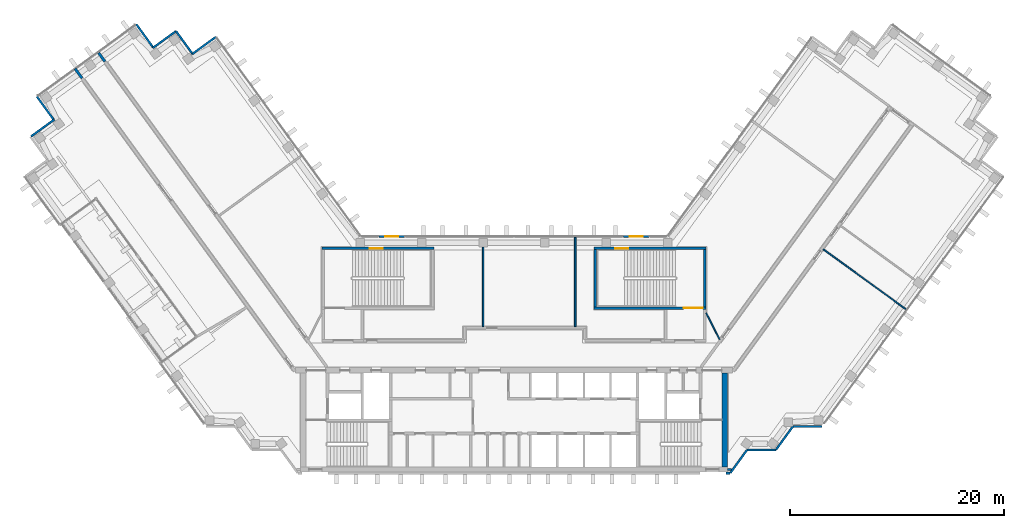
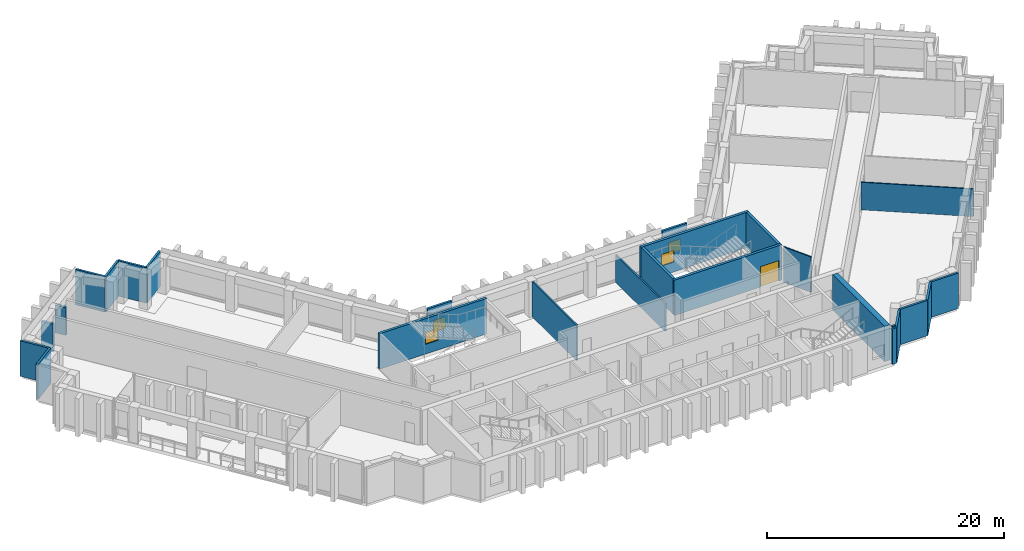
# One storey, part 9 of 13: 26 walls, 4 windows, 1 door, 5 openings.
"""IFC4 building model written with IfcOpenShell, lengths in metres."""

from ifc_helpers import new_model, si_unit, direction, frame, frame_2d, origin, place, context, subcontext, project, spatial, rectangle, extrude, material, layer, layer_set, type_object, element, fill, save


model = new_model("IFC4")

# Units and contexts
model_context = context("Model", 3, precision=1e-05, world=origin(), true_north=direction((0.0, 1.0)))
body_context = subcontext(model_context, "Body", "Model", "MODEL_VIEW")
ifc_project = project(units=[si_unit("LENGTHUNIT", "METRE"), si_unit("AREAUNIT", "SQUARE_METRE"), si_unit("VOLUMEUNIT", "CUBIC_METRE"), si_unit("PLANEANGLEUNIT", "RADIAN"), si_unit("MASSUNIT", "GRAM", prefix="KILO")], contexts=[model_context])

# Site, building, storey
site_placement = place(None, origin())
site = spatial("IfcSite", under=ifc_project, at=site_placement, CompositionType="ELEMENT")
building_placement = place(site_placement, origin())
building = spatial("IfcBuilding", under=site, at=building_placement, Name="Quipu Civic Tower", CompositionType="ELEMENT")
storey_placement = place(building_placement, frame((0.0, 0.0, 156.0)))
storey = spatial("IfcBuildingStorey", under=building, at=storey_placement, Name="L36", CompositionType="ELEMENT", Elevation=156.0)

# Walls
ifc_material_1 = material(Name="Double gypsum plasterboard with mineral wool")
ifc_layer_1 = layer(ifc_material_1, 0.14990234375)
ifc_layer_set_1 = layer_set([ifc_layer_1], Name="Double gypsum plasterboard with mineral wool")
wall_type_1 = type_object("IfcWallType", Name="Acoustic partition 150 plasterboard", PredefinedType="PARTITIONING", material=ifc_layer_set_1)
wall_1_placement = place(storey_placement, frame((-2.89892578125, 2.64990234375, 0.0), z_axis=(0.0, 0.0, 1.0), x_axis=(0.0, 1.0, 0.0)))
element("IfcWall", 1, at=wall_1_placement, inside=storey, type_object=wall_type_1, Name="Partition P05", PredefinedType="PARTITIONING", context=body_context, shape_type="SweptSolid", body=[
    extrude(rectangle(XDim=7.445068359375, YDim=0.14990234375, at=frame_2d((3.72265625, 0.0))), origin(), (0.0, 0.0, 1.0), 3.64990234375),
])
wall_2_placement = place(storey_placement, frame((5.738037109375, 2.64990234375, 0.0), z_axis=(0.0, 0.0, 1.0), x_axis=(0.0, 1.0, 0.0)))
element("IfcWall", 2, at=wall_2_placement, inside=storey, type_object=wall_type_1, Name="Partition P07", PredefinedType="PARTITIONING", context=body_context, shape_type="SweptSolid", body=[
    extrude(rectangle(XDim=8.35009765625, YDim=0.14990234375, at=frame_2d((4.175048828125, 0.0))), origin(), (0.0, 0.0, 1.0), 2.85009765625),
])

# Wall, opening, window
ifc_material_2 = material(Name="Concrete C70/85", Category="concrete")
ifc_layer_2 = layer(ifc_material_2, 0.25)
ifc_layer_set_2 = layer_set([ifc_layer_2], Name="Concrete C70/85")
wall_type_2 = type_object("IfcWallType", Name="Core wall 250", PredefinedType="SHEAR", material=ifc_layer_set_2)
wall_3_placement = place(storey_placement, frame((-18.0, 9.97509765625, 0.0), z_axis=(0.0, 0.0, 1.0), x_axis=(1.0, 0.0, 0.0)))
wall_3 = element("IfcWall", 3, at=wall_3_placement, inside=storey, type_object=wall_type_2, Name="Core wall", PredefinedType="SHEAR", context=body_context, shape_type="SweptSolid", body=[
    extrude(rectangle(XDim=10.5, YDim=0.25, at=frame_2d((5.25, 0.0))), origin(), (0.0, 0.0, 1.0), 3.64990234375),
])
opening_1_placement = place(wall_3_placement, frame((4.5, 0.0, 1.0)))
opening_1 = element("IfcOpeningElement", 4, at=opening_1_placement, cuts=wall_3, Name="Opening SV-3", PredefinedType="OPENING", context=body_context, shape_type="SweptSolid", body=[
    extrude(rectangle(XDim=1.199951171875, YDim=1.199951171875, at=frame_2d((0.60009765625, 0.60009765625))), frame((0.0, 0.135009765625, 0.0), z_axis=(0.0, -1.0, 0.0), x_axis=(1.0, 0.0, 0.0)), (0.0, 0.0, 1.0), 0.27001953125),
])
ifc_material_3 = material(Name="Aluminium louvre", Category="aluminium")
window_type_1 = type_object("IfcWindowType", Name="Stair ventilation louvre 1200 x 1200", PartitioningType="SINGLE_PANEL", PredefinedType="WINDOW", material=ifc_material_3)
window_1_placement = place(opening_1_placement, origin())
window_1 = element("IfcWindow", 5, at=window_1_placement, inside=storey, type_object=window_type_1, Name="Stair ventilation opening", OverallHeight=1.199951171875, OverallWidth=1.199951171875, PartitioningType="SINGLE_PANEL", PredefinedType="WINDOW", context=body_context, shape_type="SweptSolid", body=[
    extrude(rectangle(XDim=1.199951171875, YDim=1.199951171875, at=frame_2d((0.60009765625, 0.60009765625))), frame((0.0, 0.030029296875, 0.0), z_axis=(0.0, -1.0, 0.0), x_axis=(1.0, 0.0, 0.0)), (0.0, 0.0, 1.0), 0.06005859375),
])
fill(opening_1, window_1)

# Wall, opening, door
wall_4_placement = place(storey_placement, frame((7.5, 4.375, 0.0), z_axis=(0.0, 0.0, 1.0), x_axis=(1.0, 0.0, 0.0)))
wall_4 = element("IfcWall", 6, at=wall_4_placement, inside=storey, type_object=wall_type_2, Name="Core wall", PredefinedType="SHEAR", context=body_context, shape_type="SweptSolid", body=[
    extrude(rectangle(XDim=10.5, YDim=0.25, at=frame_2d((5.25, 0.0))), origin(), (0.0, 0.0, 1.0), 3.64990234375),
])
opening_2_placement = place(wall_4_placement, frame((8.39990234375, 0.0, 0.0)))
opening_2 = element("IfcOpeningElement", 7, at=opening_2_placement, cuts=wall_4, Name="Opening CD-25", PredefinedType="OPENING", context=body_context, shape_type="SweptSolid", body=[
    extrude(rectangle(XDim=1.800048828125, YDim=2.10009765625, at=frame_2d((0.89990234375, 1.050048828125))), frame((0.0, 0.135009765625, 0.0), z_axis=(0.0, -1.0, 0.0), x_axis=(1.0, 0.0, 0.0)), (0.0, 0.0, 1.0), 0.27001953125),
])
ifc_material_4 = material(Name="Fire rated steel door", Category="steel")
door_type = type_object("IfcDoorType", Name="Fire door FD90 double 1800 x 2100", OperationType="NOTDEFINED", PredefinedType="DOOR", material=ifc_material_4)
door_placement = place(opening_2_placement, origin())
door = element("IfcDoor", 8, at=door_placement, inside=storey, type_object=door_type, Name="Door", OperationType="DOUBLE_DOOR_SINGLE_SWING", OverallHeight=2.10009765625, OverallWidth=1.800048828125, PredefinedType="DOOR", context=body_context, shape_type="SweptSolid", body=[
    extrude(rectangle(XDim=1.800048828125, YDim=2.10009765625, at=frame_2d((0.89990234375, 1.050048828125))), frame((0.0, 0.02490234375, 0.0), z_axis=(0.0, -1.0, 0.0), x_axis=(1.0, 0.0, 0.0)), (0.0, 0.0, 1.0), 0.050048828125),
])
fill(opening_2, door)

# Walls
for number, where, z_axis, x_axis, name in (
    (9, (7.625, 4.5, 0.0), (0.0, 0.0, 1.0), (0.0, 1.0, 0.0), "Core wall"),
    (10, (17.875, 4.5, 0.0), (0.0, 0.0, 1.0), (0.0, 1.0, 0.0), "Core wall"),
):
    element("IfcWall", number, at=place(storey_placement, frame(where, z_axis=z_axis, x_axis=x_axis)), inside=storey, type_object=wall_type_2, Name=name, PredefinedType="SHEAR", context=body_context, shape_type="SweptSolid", body=[
        extrude(rectangle(XDim=5.35009765625, YDim=0.25, at=frame_2d((2.675048828125, 0.0))), origin(), (0.0, 0.0, 1.0), 3.64990234375),
    ])

# Wall, opening, window
wall_5_placement = place(storey_placement, frame((7.5, 9.97509765625, 0.0), z_axis=(0.0, 0.0, 1.0), x_axis=(1.0, 0.0, 0.0)))
wall_5 = element("IfcWall", 11, at=wall_5_placement, inside=storey, type_object=wall_type_2, Name="Core wall", PredefinedType="SHEAR", context=body_context, shape_type="SweptSolid", body=[
    extrude(rectangle(XDim=10.5, YDim=0.25, at=frame_2d((5.25, 0.0))), origin(), (0.0, 0.0, 1.0), 3.64990234375),
])
opening_3_placement = place(wall_5_placement, frame((2.0, 0.0, 1.0)))
opening_3 = element("IfcOpeningElement", 12, at=opening_3_placement, cuts=wall_5, Name="Opening SV-4", PredefinedType="OPENING", context=body_context, shape_type="SweptSolid", body=[
    extrude(rectangle(XDim=1.199951171875, YDim=1.199951171875, at=frame_2d((0.60009765625, 0.60009765625))), frame((0.0, 0.135009765625, 0.0), z_axis=(0.0, -1.0, 0.0), x_axis=(1.0, 0.0, 0.0)), (0.0, 0.0, 1.0), 0.27001953125),
])
window_2_placement = place(opening_3_placement, origin())
window_2 = element("IfcWindow", 13, at=window_2_placement, inside=storey, type_object=window_type_1, Name="Stair ventilation opening", OverallHeight=1.199951171875, OverallWidth=1.199951171875, PartitioningType="SINGLE_PANEL", PredefinedType="WINDOW", context=body_context, shape_type="SweptSolid", body=[
    extrude(rectangle(XDim=1.199951171875, YDim=1.199951171875, at=frame_2d((0.60009765625, 0.60009765625))), frame((0.0, 0.030029296875, 0.0), z_axis=(0.0, -1.0, 0.0), x_axis=(1.0, 0.0, 0.0)), (0.0, 0.0, 1.0), 0.06005859375),
])
fill(opening_3, window_2)

# Walls
ifc_material_5 = material(Name="Concrete C70/85", Category="concrete")
ifc_layer_3 = layer(ifc_material_5, 0.5)
ifc_layer_set_3 = layer_set([ifc_layer_3], Name="Concrete C70/85")
wall_type_3 = type_object("IfcWallType", Name="Core wall 500", PredefinedType="SHEAR", material=ifc_layer_set_3)
wall_6_placement = place(storey_placement, frame((19.75, -10.5, 0.0), z_axis=(0.0, 0.0, 1.0), x_axis=(0.0, 1.0, 0.0)))
element("IfcWall", 14, at=wall_6_placement, inside=storey, type_object=wall_type_3, Name="Core wall", PredefinedType="SHEAR", context=body_context, shape_type="SweptSolid", body=[
    extrude(rectangle(XDim=8.800048828125, YDim=0.5, at=frame_2d((4.39990234375, 0.0))), origin(), (0.0, 0.0, 1.0), 3.64990234375),
])
ifc_material_6 = material(Name="Concrete C50/60", Category="concrete")
ifc_layer_4 = layer(ifc_material_6, 0.25)
ifc_layer_set_4 = layer_set([ifc_layer_4], Name="Concrete C50/60")
wall_type_4 = type_object("IfcWallType", Name="Corridor wall 250 concrete", PredefinedType="SOLIDWALL", material=ifc_layer_set_4)
wall_7_placement = place(storey_placement, frame((-40.46337890625, 25.911376953125, 0.0), z_axis=(0.0, 0.0, 1.0), x_axis=(-0.587792454268, 0.809011761785, 0.0)))
element("IfcWall", 15, at=wall_7_placement, inside=storey, type_object=wall_type_4, Name="Corridor wall C05", PredefinedType="SOLIDWALL", context=body_context, shape_type="SweptSolid", body=[
    extrude(rectangle(XDim=1.1103515625, YDim=0.25, at=frame_2d((0.55517578125, 0.0))), origin(), (0.0, 0.0, 1.0), 2.85009765625),
])
wall_8_placement = place(storey_placement, frame((-38.31982421875, 27.46923828125, 0.0), z_axis=(0.0, 0.0, 1.0), x_axis=(-0.587811913486, 0.808997623213, 0.0)))
element("IfcWall", 16, at=wall_8_placement, inside=storey, type_object=wall_type_4, Name="Corridor wall C06", PredefinedType="SOLIDWALL", context=body_context, shape_type="SweptSolid", body=[
    extrude(rectangle(XDim=1.0087890625, YDim=0.25, at=frame_2d((0.50439453125, 0.0))), origin(), (0.0, 0.0, 1.0), 2.85009765625),
])
ifc_material_7 = material(Name="Gypsum plasterboard on light gauge framing")
ifc_layer_5 = layer(ifc_material_7, 0.1201171875)
ifc_layer_set_5 = layer_set([ifc_layer_5], Name="Gypsum plasterboard on light gauge framing")
wall_type_5 = type_object("IfcWallType", Name="Partition 120 plasterboard", PredefinedType="PARTITIONING", material=ifc_layer_set_5)
wall_9_placement = place(storey_placement, frame((36.7021484375, 4.274169921875, 0.0), z_axis=(0.0, 0.0, 1.0), x_axis=(-0.808998008689, 0.58781138296, 0.0)))
element("IfcWall", 17, at=wall_9_placement, inside=storey, type_object=wall_type_5, Name="Partition P02", PredefinedType="PARTITIONING", context=body_context, shape_type="SweptSolid", body=[
    extrude(rectangle(XDim=9.5498046875, YDim=0.1201171875, at=frame_2d((4.77490234375, 0.0))), origin(), (0.0, 0.0, 1.0), 2.85009765625),
])
wall_10_placement = place(storey_placement, frame((18.0, 3.925048828125, 0.0), z_axis=(0.0, 0.0, 1.0), x_axis=(0.453950796792, -0.891026752736, 0.0)))
element("IfcWall", 18, at=wall_10_placement, inside=storey, type_object=wall_type_5, Name="Partition P10", PredefinedType="PARTITIONING", context=body_context, shape_type="SweptSolid", body=[
    extrude(rectangle(XDim=2.77783203125, YDim=0.1201171875, at=frame_2d((1.388916015625, 0.0))), origin(), (0.0, 0.0, 1.0), 3.64990234375),
])
ifc_material_8 = material(Name="Precast concrete C40/50", Category="concrete")
wall_type_6 = type_object("IfcWallType", Name="Precast cladding wall", PredefinedType="SOLIDWALL", material=ifc_material_8)
for number, where, z_axis, x_axis, name in (
    (19, (-43.060791015625, 22.04296875, 0.0), (0.0, 0.0, 1.0), (-0.809033161865, -0.587762999008, 0.0), "Precast cladding wall L36 P01"),
    (20, (-27.92138671875, 29.787109375, 0.0), (0.0, 0.0, 1.0), (-0.809033161865, -0.587762999008, 0.0), "Precast cladding wall L36 11"),
    (21, (-30.08349609375, 28.149169921875, 0.0), (0.0, 0.0, 1.0), (-0.587762999008, 0.809033161865, 0.0), "Precast cladding wall L36 12"),
    (22, (-31.653564453125, 30.330810546875, 0.0), (0.0, 0.0, 1.0), (-0.809033161865, -0.587762999008, 0.0), "Precast cladding wall L36 13"),
    (23, (-33.80078125, 28.785888671875, 0.0), (0.0, 0.0, 1.0), (-0.587762999008, 0.809033161865, 0.0), "Precast cladding wall L36 14"),
    (24, (-44.699462890625, 24.20458984375, 0.0), (0.0, 0.0, 1.0), (0.587762999008, -0.809033161865, 0.0), "Precast cladding wall L36 16"),
):
    element("IfcWall", number, at=place(storey_placement, frame(where, z_axis=z_axis, x_axis=x_axis)), inside=storey, type_object=wall_type_6, Name=name, PredefinedType="SOLIDWALL", context=body_context, shape_type="SweptSolid", body=[
        extrude(rectangle(XDim=2.699951171875, YDim=0.199951171875, at=frame_2d((1.35009765625, 0.0))), origin(), (0.0, 0.0, 1.0), 3.64990234375),
    ])
wall_11_placement = place(storey_placement, frame((19.85009765625, -11.087890625, 0.0), z_axis=(0.0, 0.0, 1.0), x_axis=(1.0, 0.0, 0.0)))
element("IfcWall", 25, at=wall_11_placement, inside=storey, type_object=wall_type_6, Name="Precast cladding wall L36 21", PredefinedType="SOLIDWALL", context=body_context, shape_type="SweptSolid", body=[
    extrude(rectangle(XDim=0.40576171875, YDim=0.199951171875, at=frame_2d((0.202880859375, 0.0))), origin(), (0.0, 0.0, 1.0), 3.64990234375),
])
wall_12_placement = place(storey_placement, frame((20.253173828125, -11.083251953125, 0.0), z_axis=(0.0, 0.0, 1.0), x_axis=(0.587766567315, 0.809030569476, 0.0)))
element("IfcWall", 26, at=wall_12_placement, inside=storey, type_object=wall_type_6, Name="Precast cladding wall L36 22", PredefinedType="SOLIDWALL", context=body_context, shape_type="SweptSolid", body=[
    extrude(rectangle(XDim=2.687744140625, YDim=0.199951171875, at=frame_2d((1.34375, 0.0))), origin(), (0.0, 0.0, 1.0), 3.64990234375),
])
wall_13_placement = place(storey_placement, frame((21.8427734375, -8.90380859375, 0.0), z_axis=(0.0, 0.0, 1.0), x_axis=(1.0, 0.0, 0.0)))
element("IfcWall", 27, at=wall_13_placement, inside=storey, type_object=wall_type_6, Name="Precast cladding wall L36 23", PredefinedType="SOLIDWALL", context=body_context, shape_type="SweptSolid", body=[
    extrude(rectangle(XDim=2.699951171875, YDim=0.199951171875, at=frame_2d((1.35009765625, 0.0))), origin(), (0.0, 0.0, 1.0), 3.64990234375),
])
wall_14_placement = place(storey_placement, frame((24.533203125, -8.90869140625, 0.0), z_axis=(0.0, 0.0, 1.0), x_axis=(0.587720002413, 0.809064397168, 0.0)))
element("IfcWall", 28, at=wall_14_placement, inside=storey, type_object=wall_type_6, Name="Precast cladding wall L36 24", PredefinedType="SOLIDWALL", context=body_context, shape_type="SweptSolid", body=[
    extrude(rectangle(XDim=2.7001953125, YDim=0.199951171875, at=frame_2d((1.35009765625, 0.0))), origin(), (0.0, 0.0, 1.0), 3.64990234375),
])
wall_15_placement = place(storey_placement, frame((26.1298828125, -6.71923828125, 0.0), z_axis=(0.0, 0.0, 1.0), x_axis=(1.0, 0.0, 0.0)))
element("IfcWall", 29, at=wall_15_placement, inside=storey, type_object=wall_type_6, Name="Precast cladding wall L36 25", PredefinedType="SOLIDWALL", context=body_context, shape_type="SweptSolid", body=[
    extrude(rectangle(XDim=2.699951171875, YDim=0.199951171875, at=frame_2d((1.35009765625, 0.0))), origin(), (0.0, 0.0, 1.0), 3.64990234375),
])

# Wall, opening, window
wall_16_placement = place(storey_placement, frame((12.655029296875, 11.10009765625, 0.0), z_axis=(0.0, 0.0, 1.0), x_axis=(-1.0, 0.0, 0.0)))
wall_16 = element("IfcWall", 30, at=wall_16_placement, inside=storey, type_object=wall_type_6, Name="Vent surround SF-L36-2", PredefinedType="SOLIDWALL", context=body_context, shape_type="SweptSolid", body=[
    extrude(rectangle(XDim=2.3916015625, YDim=0.199951171875, at=frame_2d((1.19580078125, 0.0))), origin(), (0.0, 0.0, 1.0), 3.64990234375),
])
opening_4_placement = place(wall_16_placement, frame((0.595703125, 0.0, 1.0)))
opening_4 = element("IfcOpeningElement", 31, at=opening_4_placement, cuts=wall_16, Name="Opening SF-L36-2", PredefinedType="OPENING", context=body_context, shape_type="SweptSolid", body=[
    extrude(rectangle(XDim=1.199951171875, YDim=1.199951171875, at=frame_2d((0.60009765625, 0.60009765625))), frame((0.0, 0.10986328125, 0.0), z_axis=(0.0, -1.0, 0.0), x_axis=(1.0, 0.0, 0.0)), (0.0, 0.0, 1.0), 0.219970703125),
])
ifc_material_9 = material(Name="Anodised aluminium louvre", Category="aluminium")
window_type_2 = type_object("IfcWindowType", Name="Stair vent louvre window P3", PartitioningType="SINGLE_PANEL", PredefinedType="WINDOW", material=ifc_material_9)
window_3_placement = place(opening_4_placement, origin())
window_3 = element("IfcWindow", 32, at=window_3_placement, inside=storey, type_object=window_type_2, Name="Stair vent louvre SF-L36-2", OverallHeight=1.199951171875, OverallWidth=1.199951171875, PartitioningType="SINGLE_PANEL", PredefinedType="WINDOW", context=body_context, shape_type="SweptSolid", body=[
    extrude(rectangle(XDim=1.199951171875, YDim=1.199951171875, at=frame_2d((0.60009765625, 0.60009765625))), frame((0.0, 0.030029296875, 0.0), z_axis=(0.0, -1.0, 0.0), x_axis=(1.0, 0.0, 0.0)), (0.0, 0.0, 1.0), 0.06005859375),
])
fill(opening_4, window_3)

wall_17_placement = place(storey_placement, frame((-10.263427734375, 11.10009765625, 0.0), z_axis=(0.0, 0.0, 1.0), x_axis=(-1.0, 0.0, 0.0)))
wall_17 = element("IfcWall", 33, at=wall_17_placement, inside=storey, type_object=wall_type_6, Name="Vent surround SF-L36-1", PredefinedType="SOLIDWALL", context=body_context, shape_type="SweptSolid", body=[
    extrude(rectangle(XDim=2.3916015625, YDim=0.199951171875, at=frame_2d((1.19580078125, 0.0))), origin(), (0.0, 0.0, 1.0), 3.64990234375),
])
opening_5_placement = place(wall_17_placement, frame((0.595703125, 0.0, 1.0)))
opening_5 = element("IfcOpeningElement", 34, at=opening_5_placement, cuts=wall_17, Name="Opening SF-L36-1", PredefinedType="OPENING", context=body_context, shape_type="SweptSolid", body=[
    extrude(rectangle(XDim=1.199951171875, YDim=1.199951171875, at=frame_2d((0.60009765625, 0.60009765625))), frame((0.0, 0.10986328125, 0.0), z_axis=(0.0, -1.0, 0.0), x_axis=(1.0, 0.0, 0.0)), (0.0, 0.0, 1.0), 0.219970703125),
])
window_4_placement = place(opening_5_placement, origin())
window_4 = element("IfcWindow", 35, at=window_4_placement, inside=storey, type_object=window_type_2, Name="Stair vent louvre SF-L36-1", OverallHeight=1.199951171875, OverallWidth=1.199951171875, PartitioningType="SINGLE_PANEL", PredefinedType="WINDOW", context=body_context, shape_type="SweptSolid", body=[
    extrude(rectangle(XDim=1.199951171875, YDim=1.199951171875, at=frame_2d((0.60009765625, 0.60009765625))), frame((0.0, 0.030029296875, 0.0), z_axis=(0.0, -1.0, 0.0), x_axis=(1.0, 0.0, 0.0)), (0.0, 0.0, 1.0), 0.06005859375),
])
fill(opening_5, window_4)

# Wall
wall_18_placement = place(storey_placement, frame((19.97998046875, -10.75, 0.0), z_axis=(0.0, 0.0, 1.0), x_axis=(1.0, 0.0, 0.0)))
element("IfcWall", 36, at=wall_18_placement, inside=storey, type_object=wall_type_6, Name="Precast cladding return L36 E", PredefinedType="SOLIDWALL", context=body_context, shape_type="SweptSolid", body=[
    extrude(rectangle(XDim=0.41650390625, YDim=0.199951171875, at=frame_2d((0.208251953125, 0.0))), origin(), (0.0, 0.0, 1.0), 3.64990234375),
])

save(model, "model.ifc")
